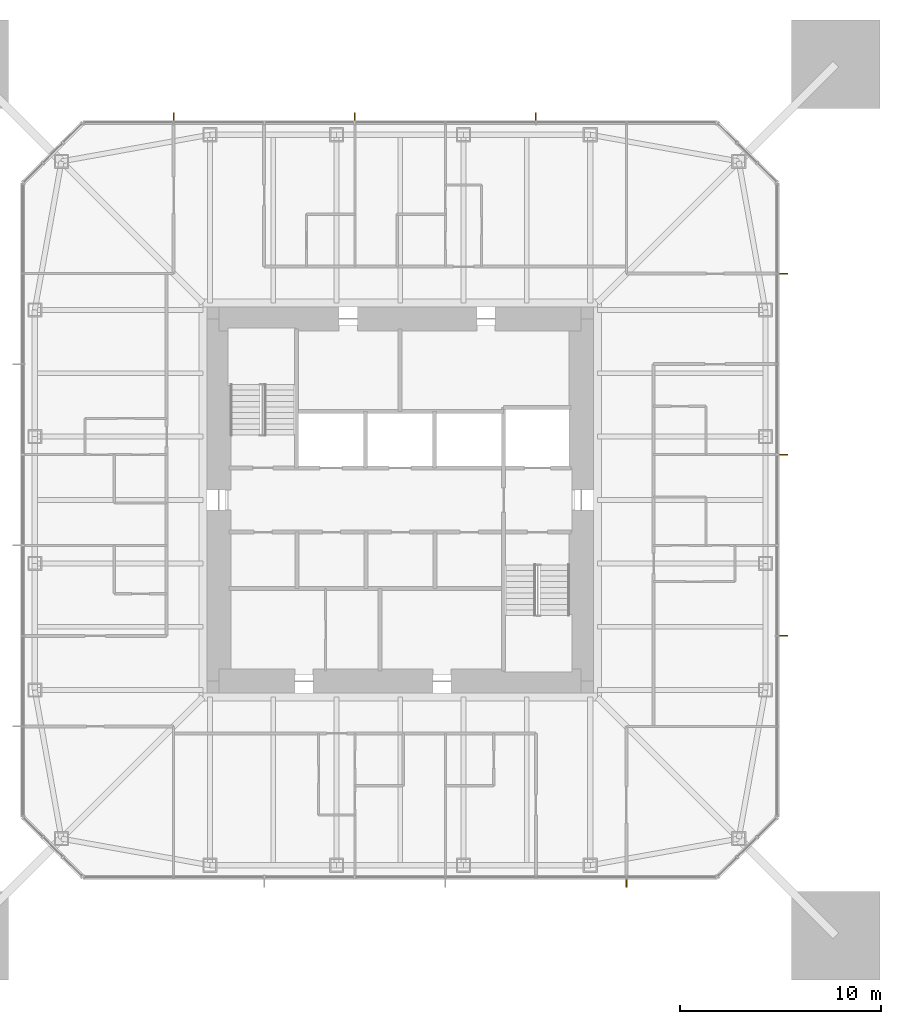
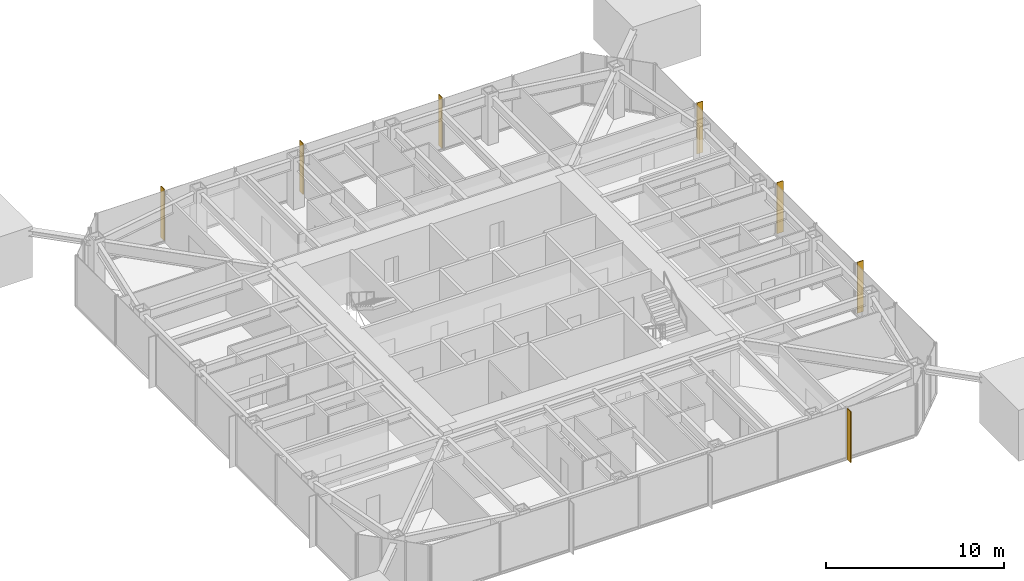
# One storey, part 11 of 11: 7 shading devices.
"""IFC4 building model written with IfcOpenShell, lengths in metres."""

from ifc_helpers import new_model, si_unit, direction, frame, origin, origin_2d, place, context, subcontext, project, spatial, rectangle, extrude, material, layer, layer_set, type_object, element, save


model = new_model("IFC4")

# Units and contexts
model_context = context("Model", 3, precision=1e-05, world=origin(), true_north=direction((0.0, 1.0)))
body_context = subcontext(model_context, "Body", "Model", "MODEL_VIEW")
ifc_project = project(units=[si_unit("LENGTHUNIT", "METRE"), si_unit("AREAUNIT", "SQUARE_METRE"), si_unit("VOLUMEUNIT", "CUBIC_METRE"), si_unit("PLANEANGLEUNIT", "RADIAN"), si_unit("MASSUNIT", "GRAM", prefix="KILO")], contexts=[model_context])

# Site, building, storey
site_placement = place(None, origin())
site = spatial("IfcSite", under=ifc_project, at=site_placement, CompositionType="ELEMENT")
building_placement = place(site_placement, origin())
building = spatial("IfcBuilding", under=site, at=building_placement, Name="Iwan Alto Co-Living Towers", CompositionType="ELEMENT")
storey_placement = place(building_placement, frame((0.0, 0.0, 170.5)))
storey = spatial("IfcBuildingStorey", under=building, at=storey_placement, Name="L46", CompositionType="ELEMENT", Elevation=170.5)

# Shading devices
ifc_material = material(Name="Aluminium 6063-T6 bronze anodised", Category="aluminium")
ifc_layer = layer(ifc_material, 0.050048828125)
ifc_layer_set = layer_set([ifc_layer], Name="BRONZE FIN 50X400")
shading_device_type = type_object("IfcShadingDeviceType", Name="BRONZE FIN 50X400", PredefinedType="USERDEFINED", material=ifc_layer_set)
for number, where, z_axis, x_axis, name in (
    (1, (11.25, -19.050048828125, 0.0), (0.0, 0.0, 1.0), (1.0, 0.0, 0.0), "Bronze fin L46"),
    (2, (19.050048828125, -6.75, 0.0), (0.0, 0.0, 1.0), (0.0, 1.0, 0.0), "Bronze fin L46"),
    (3, (19.050048828125, 2.25, 0.0), (0.0, 0.0, 1.0), (0.0, 1.0, 0.0), "Bronze fin L46"),
    (4, (19.050048828125, 11.25, 0.0), (0.0, 0.0, 1.0), (0.0, 1.0, 0.0), "Bronze fin L46"),
    (5, (6.75, 19.050048828125, 0.0), (0.0, 0.0, 1.0), (-1.0, 0.0, 0.0), "Bronze fin L46"),
    (6, (-2.25, 19.050048828125, 0.0), (0.0, 0.0, 1.0), (-1.0, 0.0, 0.0), "Bronze fin L46"),
    (7, (-11.25, 19.050048828125, 0.0), (0.0, 0.0, 1.0), (-1.0, 0.0, 0.0), "Bronze fin L46"),
):
    element("IfcShadingDevice", number, at=place(storey_placement, frame(where, z_axis=z_axis, x_axis=x_axis)), inside=storey, type_object=shading_device_type, Name=name, ObjectType="LOUVER", PredefinedType="USERDEFINED", context=body_context, shape_type="SweptSolid", body=[
        extrude(rectangle(XDim=0.050048828125, YDim=0.39990234375, at=origin_2d()), origin(), (0.0, 0.0, 1.0), 3.5),
    ])

save(model, "model.ifc")
